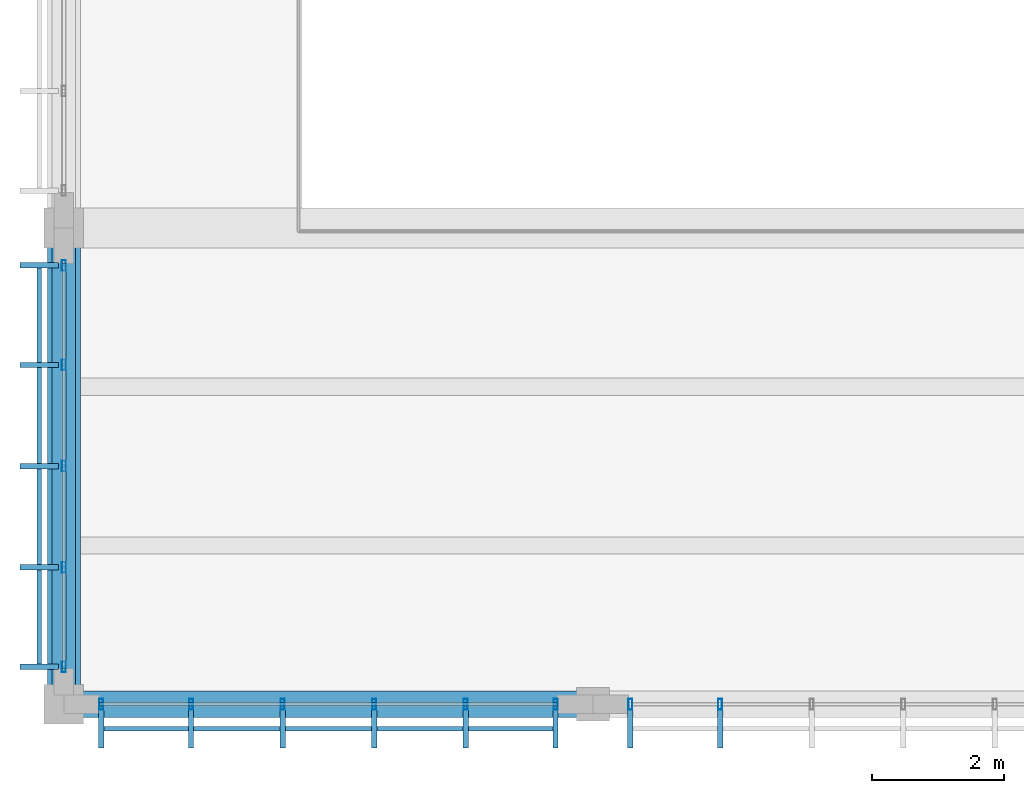
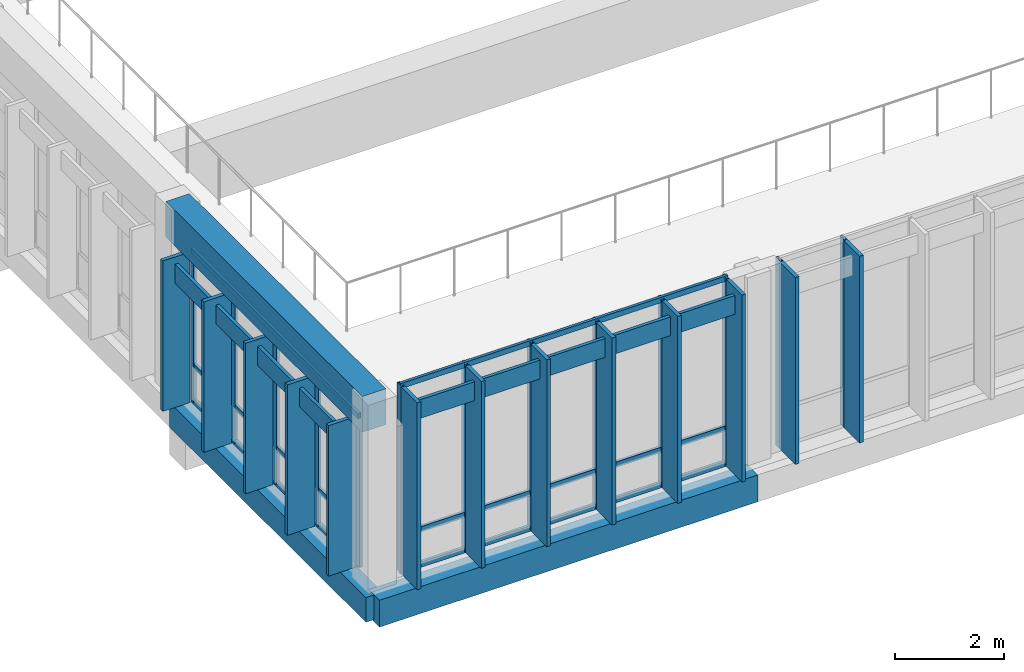
# One storey, part 12 of 182: 34 members, 3 beams, 3 elements without a shape of their own.
"""IFC4 building model written with IfcOpenShell, lengths in metres."""

from ifc_helpers import new_model, si_unit, direction, frame, origin, origin_2d, place, context, subcontext, project, spatial, rectangle, hollow_rectangle, extrude, material, material_profile, profile_set, type_object, element, aggregate, save


model = new_model("IFC4")

# Units and contexts
model_context = context("Model", 3, precision=1e-05, world=origin(), true_north=direction((0.0, 1.0)))
body_context = subcontext(model_context, "Body", "Model", "MODEL_VIEW")
ifc_project = project(units=[si_unit("LENGTHUNIT", "METRE"), si_unit("AREAUNIT", "SQUARE_METRE"), si_unit("VOLUMEUNIT", "CUBIC_METRE"), si_unit("PLANEANGLEUNIT", "RADIAN"), si_unit("MASSUNIT", "GRAM", prefix="KILO")], contexts=[model_context])

# Site, building, storey
site_placement = place(None, origin())
site = spatial("IfcSite", under=ifc_project, at=site_placement, CompositionType="ELEMENT")
building_placement = place(site_placement, origin())
building = spatial("IfcBuilding", under=site, at=building_placement, Name="Chiffa Square Polytechnic", CompositionType="ELEMENT")
storey_placement = place(building_placement, frame((0.0, 0.0, 9.60009765625)))
storey = spatial("IfcBuildingStorey", under=building, at=storey_placement, Name="L02", CompositionType="ELEMENT", Elevation=9.60009765625)

# Beams
ifc_material_1 = material(Name="Concrete C35/45", Category="concrete")
ifc_material_profile_1 = material_profile(ifc_material_1, rectangle(XDim=0.35009765625, YDim=0.550048828125, at=origin_2d()), Name="RC 350x550")
ifc_profile_set_1 = profile_set([ifc_material_profile_1], Name="Concrete C35/45")
beam_type_1 = type_object("IfcBeamType", Name="BM-RC-350X550", PredefinedType="BEAM", material=ifc_profile_set_1)
beam_1_placement = place(storey_placement, frame((0.0, 0.0, -0.59521484375), z_axis=(0.0, 1.0, 0.0), x_axis=(-1.0, 0.0, 0.0)))
element("IfcBeam", 1, at=beam_1_placement, inside=storey, type_object=beam_type_1, Name="Primary floor girder BM-V3-L02-Y-0000-0000", PredefinedType="BEAM", context=body_context, shape_type="SweptSolid", body=[
    extrude(rectangle(XDim=0.35009765625, YDim=0.550048828125, at=origin_2d()), origin(), (0.0, 0.0, 1.0), 7.199951171875),
])
ifc_material_profile_2 = material_profile(ifc_material_1, rectangle(XDim=0.39990234375, YDim=0.60009765625, at=origin_2d()), Name="RC 400x600")
ifc_profile_set_2 = profile_set([ifc_material_profile_2], Name="Concrete C35/45")
beam_type_2 = type_object("IfcBeamType", Name="BM-RC-400X600", PredefinedType="BEAM", material=ifc_profile_set_2)
beam_2_placement = place(storey_placement, frame((0.0, 0.0, -0.6201171875), z_axis=(1.0, 0.0, 0.0), x_axis=(0.0, 1.0, 0.0)))
element("IfcBeam", 2, at=beam_2_placement, inside=storey, type_object=beam_type_2, Name="Primary floor girder BM-V3-L02-X-0000-0000", PredefinedType="BEAM", context=body_context, shape_type="SweptSolid", body=[
    extrude(rectangle(XDim=0.39990234375, YDim=0.60009765625, at=origin_2d()), origin(), (0.0, 0.0, 1.0), 8.0),
])
ifc_material_2 = material(Name="Concrete C40/50", Category="concrete")
ifc_material_profile_3 = material_profile(ifc_material_2, rectangle(XDim=0.5, YDim=0.800048828125, at=origin_2d()), Name="RC 500x800")
ifc_profile_set_3 = profile_set([ifc_material_profile_3], Name="Concrete C40/50")
beam_type_3 = type_object("IfcBeamType", Name="BM-RC-500X800", PredefinedType="BEAM", material=ifc_profile_set_3)
beam_3_placement = place(storey_placement, frame((0.0, 0.0, 3.7998046875), z_axis=(0.0, 1.0, 0.0), x_axis=(-1.0, 0.0, 0.0)))
element("IfcBeam", 3, at=beam_3_placement, inside=storey, type_object=beam_type_3, Name="Lecture west eave ring beam BM-V3-EAVTIE-W1", PredefinedType="BEAM", context=body_context, shape_type="SweptSolid", body=[
    extrude(rectangle(XDim=0.5, YDim=0.800048828125, at=origin_2d()), origin(), (0.0, 0.0, 1.0), 7.199951171875),
])

# Curtain wall, members
ifc_material_3 = material(Name="Aluminium EN AW-6060 T66 and glulam shading", Category="wood")
curtain_wall_type_1 = type_object("IfcCurtainWallType", Name="CW-VERT-360X380", PredefinedType="USERDEFINED", material=ifc_material_3)
curtain_wall_1_placement = place(storey_placement, origin())
curtain_wall_1 = element("IfcCurtainWall", 4, at=curtain_wall_1_placement, inside=storey, type_object=curtain_wall_type_1, Name="Curtain wall CW-V3-L02-165", ObjectType="CURTAIN WALL", PredefinedType="USERDEFINED")
ifc_material_4 = material(Name="Aluminium EN AW-6060 T66", Category="aluminium")
ifc_material_profile_4 = material_profile(ifc_material_4, hollow_rectangle(XDim=0.06005859375, YDim=0.159912109375, WallThickness=0.00390625, at=origin_2d()), Name="ALU 60x160x4")
ifc_profile_set_4 = profile_set([ifc_material_profile_4], Name="Aluminium EN AW-6060 T66")
member_type_1 = type_object("IfcMemberType", Name="CWM-ALU-65X150", PredefinedType="MULLION", material=ifc_profile_set_4)
member_1_placement = place(storey_placement, frame((0.56494140625, 0.0, 0.0), z_axis=(0.0, 0.0, 1.0), x_axis=(1.0, 0.0, 0.0)))
member_1 = element("IfcMember", 5, at=member_1_placement, type_object=member_type_1, Name="Curtain wall mullion CW-V3-L02-165-M00", PredefinedType="MULLION", context=body_context, shape_type="SweptSolid", body=[
    extrude(hollow_rectangle(XDim=0.06005859375, YDim=0.159912109375, WallThickness=0.00390625, at=origin_2d()), origin(), (0.0, 0.0, 1.0), 4.199951171875),
])
member_2_placement = place(storey_placement, frame((1.924072265625, 0.0, 0.0), z_axis=(0.0, 0.0, 1.0), x_axis=(1.0, 0.0, 0.0)))
member_2 = element("IfcMember", 6, at=member_2_placement, type_object=member_type_1, Name="Curtain wall mullion CW-V3-L02-165-M01", PredefinedType="MULLION", context=body_context, shape_type="SweptSolid", body=[
    extrude(hollow_rectangle(XDim=0.06005859375, YDim=0.159912109375, WallThickness=0.00390625, at=origin_2d()), origin(), (0.0, 0.0, 1.0), 4.199951171875),
])
member_3_placement = place(storey_placement, frame((3.30810546875, 0.0, 0.0), z_axis=(0.0, 0.0, 1.0), x_axis=(1.0, 0.0, 0.0)))
member_3 = element("IfcMember", 7, at=member_3_placement, type_object=member_type_1, Name="Curtain wall mullion CW-V3-L02-165-M02", PredefinedType="MULLION", context=body_context, shape_type="SweptSolid", body=[
    extrude(hollow_rectangle(XDim=0.06005859375, YDim=0.159912109375, WallThickness=0.00390625, at=origin_2d()), origin(), (0.0, 0.0, 1.0), 4.199951171875),
])
member_4_placement = place(storey_placement, frame((4.69189453125, 0.0, 0.0), z_axis=(0.0, 0.0, 1.0), x_axis=(1.0, 0.0, 0.0)))
member_4 = element("IfcMember", 8, at=member_4_placement, type_object=member_type_1, Name="Curtain wall mullion CW-V3-L02-165-M03", PredefinedType="MULLION", context=body_context, shape_type="SweptSolid", body=[
    extrude(hollow_rectangle(XDim=0.06005859375, YDim=0.159912109375, WallThickness=0.00390625, at=origin_2d()), origin(), (0.0, 0.0, 1.0), 4.199951171875),
])
member_5_placement = place(storey_placement, frame((6.075927734375, 0.0, 0.0), z_axis=(0.0, 0.0, 1.0), x_axis=(1.0, 0.0, 0.0)))
member_5 = element("IfcMember", 9, at=member_5_placement, type_object=member_type_1, Name="Curtain wall mullion CW-V3-L02-165-M04", PredefinedType="MULLION", context=body_context, shape_type="SweptSolid", body=[
    extrude(hollow_rectangle(XDim=0.06005859375, YDim=0.159912109375, WallThickness=0.00390625, at=origin_2d()), origin(), (0.0, 0.0, 1.0), 4.199951171875),
])
member_6_placement = place(storey_placement, frame((7.43505859375, 0.0, 0.0), z_axis=(0.0, 0.0, 1.0), x_axis=(1.0, 0.0, 0.0)))
member_6 = element("IfcMember", 10, at=member_6_placement, type_object=member_type_1, Name="Curtain wall mullion CW-V3-L02-165-M05", PredefinedType="MULLION", context=body_context, shape_type="SweptSolid", body=[
    extrude(hollow_rectangle(XDim=0.06005859375, YDim=0.159912109375, WallThickness=0.00390625, at=origin_2d()), origin(), (0.0, 0.0, 1.0), 4.199951171875),
])

curtain_wall_type_2 = type_object("IfcCurtainWallType", Name="CW-VERT-480X380", PredefinedType="USERDEFINED", material=ifc_material_3)
curtain_wall_2_placement = place(storey_placement, origin())
curtain_wall_2 = element("IfcCurtainWall", 11, at=curtain_wall_2_placement, inside=storey, type_object=curtain_wall_type_2, Name="Curtain wall CW-V3-L02-166", ObjectType="CURTAIN WALL", PredefinedType="USERDEFINED")
member_7_placement = place(storey_placement, frame((8.56494140625, 0.0, 0.0), z_axis=(0.0, 0.0, 1.0), x_axis=(1.0, 0.0, 0.0)))
member_7 = element("IfcMember", 12, at=member_7_placement, type_object=member_type_1, Name="Curtain wall mullion CW-V3-L02-166-M00", PredefinedType="MULLION", context=body_context, shape_type="SweptSolid", body=[
    extrude(hollow_rectangle(XDim=0.06005859375, YDim=0.159912109375, WallThickness=0.00390625, at=origin_2d()), origin(), (0.0, 0.0, 1.0), 4.199951171875),
])
member_8_placement = place(storey_placement, frame((9.924072265625, 0.0, 0.0), z_axis=(0.0, 0.0, 1.0), x_axis=(1.0, 0.0, 0.0)))
member_8 = element("IfcMember", 13, at=member_8_placement, type_object=member_type_1, Name="Curtain wall mullion CW-V3-L02-166-M01", PredefinedType="MULLION", context=body_context, shape_type="SweptSolid", body=[
    extrude(hollow_rectangle(XDim=0.06005859375, YDim=0.159912109375, WallThickness=0.00390625, at=origin_2d()), origin(), (0.0, 0.0, 1.0), 4.199951171875),
])

curtain_wall_type_3 = type_object("IfcCurtainWallType", Name="CW-VERT-450X380", PredefinedType="USERDEFINED", material=ifc_material_3)
curtain_wall_3_placement = place(storey_placement, origin())
curtain_wall_3 = element("IfcCurtainWall", 14, at=curtain_wall_3_placement, inside=storey, type_object=curtain_wall_type_3, Name="Curtain wall CW-V3-L02-178", ObjectType="CURTAIN WALL", PredefinedType="USERDEFINED")
member_9_placement = place(storey_placement, frame((0.0, 6.635009765625, 0.0), z_axis=(0.0, 0.0, 1.0), x_axis=(1.0, 0.0, 0.0)))
member_9 = element("IfcMember", 15, at=member_9_placement, type_object=member_type_1, Name="Curtain wall mullion CW-V3-L02-178-M00", PredefinedType="MULLION", context=body_context, shape_type="SweptSolid", body=[
    extrude(hollow_rectangle(XDim=0.06005859375, YDim=0.159912109375, WallThickness=0.00390625, at=origin_2d()), origin(), (0.0, 0.0, 1.0), 3.385009765625),
])
member_10_placement = place(storey_placement, frame((0.0, 5.1298828125, 0.0), z_axis=(0.0, 0.0, 1.0), x_axis=(1.0, 0.0, 0.0)))
member_10 = element("IfcMember", 16, at=member_10_placement, type_object=member_type_1, Name="Curtain wall mullion CW-V3-L02-178-M01", PredefinedType="MULLION", context=body_context, shape_type="SweptSolid", body=[
    extrude(hollow_rectangle(XDim=0.06005859375, YDim=0.159912109375, WallThickness=0.00390625, at=origin_2d()), origin(), (0.0, 0.0, 1.0), 3.385009765625),
])
member_11_placement = place(storey_placement, frame((0.0, 3.60009765625, 0.0), z_axis=(0.0, 0.0, 1.0), x_axis=(1.0, 0.0, 0.0)))
member_11 = element("IfcMember", 17, at=member_11_placement, type_object=member_type_1, Name="Curtain wall mullion CW-V3-L02-178-M02", PredefinedType="MULLION", context=body_context, shape_type="SweptSolid", body=[
    extrude(hollow_rectangle(XDim=0.06005859375, YDim=0.159912109375, WallThickness=0.00390625, at=origin_2d()), origin(), (0.0, 0.0, 1.0), 3.385009765625),
])
member_12_placement = place(storey_placement, frame((0.0, 2.070068359375, 0.0), z_axis=(0.0, 0.0, 1.0), x_axis=(1.0, 0.0, 0.0)))
member_12 = element("IfcMember", 18, at=member_12_placement, type_object=member_type_1, Name="Curtain wall mullion CW-V3-L02-178-M03", PredefinedType="MULLION", context=body_context, shape_type="SweptSolid", body=[
    extrude(hollow_rectangle(XDim=0.06005859375, YDim=0.159912109375, WallThickness=0.00390625, at=origin_2d()), origin(), (0.0, 0.0, 1.0), 3.385009765625),
])
member_13_placement = place(storey_placement, frame((0.0, 0.56494140625, 0.0), z_axis=(0.0, 0.0, 1.0), x_axis=(1.0, 0.0, 0.0)))
member_13 = element("IfcMember", 19, at=member_13_placement, type_object=member_type_1, Name="Curtain wall mullion CW-V3-L02-178-M04", PredefinedType="MULLION", context=body_context, shape_type="SweptSolid", body=[
    extrude(hollow_rectangle(XDim=0.06005859375, YDim=0.159912109375, WallThickness=0.00390625, at=origin_2d()), origin(), (0.0, 0.0, 1.0), 3.385009765625),
])

# Member
ifc_material_5 = material(Name="Glulam GL28h", Category="wood")
ifc_material_profile_5 = material_profile(ifc_material_5, rectangle(XDim=0.080078125, YDim=0.580078125, at=origin_2d()), Name="GL28h 80x580")
ifc_profile_set_5 = profile_set([ifc_material_profile_5], Name="Glulam GL28h")
member_type_2 = type_object("IfcMemberType", Name="CWM-GL-80X580", PredefinedType="MULLION", material=ifc_profile_set_5)
member_14_placement = place(storey_placement, frame((0.56494140625, -0.3720703125, 0.010009765625), z_axis=(0.0, 0.0, 1.0), x_axis=(1.0, 0.0, 0.0)))
member_14 = element("IfcMember", 20, at=member_14_placement, type_object=member_type_2, Name="Exterior glulam solar fin CW-V3-L02-165-FN00", PredefinedType="MULLION", context=body_context, shape_type="SweptSolid", body=[
    extrude(rectangle(XDim=0.080078125, YDim=0.580078125, at=origin_2d()), origin(), (0.0, 0.0, 1.0), 4.179931640625),
])

member_15_placement = place(storey_placement, frame((1.924072265625, -0.3720703125, 0.010009765625), z_axis=(0.0, 0.0, 1.0), x_axis=(1.0, 0.0, 0.0)))
member_15 = element("IfcMember", 21, at=member_15_placement, type_object=member_type_2, Name="Exterior glulam solar fin CW-V3-L02-165-FN01", PredefinedType="MULLION", context=body_context, shape_type="SweptSolid", body=[
    extrude(rectangle(XDim=0.080078125, YDim=0.580078125, at=origin_2d()), origin(), (0.0, 0.0, 1.0), 4.179931640625),
])

member_16_placement = place(storey_placement, frame((3.30810546875, -0.3720703125, 0.010009765625), z_axis=(0.0, 0.0, 1.0), x_axis=(1.0, 0.0, 0.0)))
member_16 = element("IfcMember", 22, at=member_16_placement, type_object=member_type_2, Name="Exterior glulam solar fin CW-V3-L02-165-FN02", PredefinedType="MULLION", context=body_context, shape_type="SweptSolid", body=[
    extrude(rectangle(XDim=0.080078125, YDim=0.580078125, at=origin_2d()), origin(), (0.0, 0.0, 1.0), 4.179931640625),
])

member_17_placement = place(storey_placement, frame((4.69189453125, -0.3720703125, 0.010009765625), z_axis=(0.0, 0.0, 1.0), x_axis=(1.0, 0.0, 0.0)))
member_17 = element("IfcMember", 23, at=member_17_placement, type_object=member_type_2, Name="Exterior glulam solar fin CW-V3-L02-165-FN03", PredefinedType="MULLION", context=body_context, shape_type="SweptSolid", body=[
    extrude(rectangle(XDim=0.080078125, YDim=0.580078125, at=origin_2d()), origin(), (0.0, 0.0, 1.0), 4.179931640625),
])

member_18_placement = place(storey_placement, frame((6.075927734375, -0.3720703125, 0.010009765625), z_axis=(0.0, 0.0, 1.0), x_axis=(1.0, 0.0, 0.0)))
member_18 = element("IfcMember", 24, at=member_18_placement, type_object=member_type_2, Name="Exterior glulam solar fin CW-V3-L02-165-FN04", PredefinedType="MULLION", context=body_context, shape_type="SweptSolid", body=[
    extrude(rectangle(XDim=0.080078125, YDim=0.580078125, at=origin_2d()), origin(), (0.0, 0.0, 1.0), 4.179931640625),
])

member_19_placement = place(storey_placement, frame((7.43505859375, -0.3720703125, 0.010009765625), z_axis=(0.0, 0.0, 1.0), x_axis=(1.0, 0.0, 0.0)))
member_19 = element("IfcMember", 25, at=member_19_placement, type_object=member_type_2, Name="Exterior glulam solar fin CW-V3-L02-165-FN05", PredefinedType="MULLION", context=body_context, shape_type="SweptSolid", body=[
    extrude(rectangle(XDim=0.080078125, YDim=0.580078125, at=origin_2d()), origin(), (0.0, 0.0, 1.0), 4.179931640625),
])

member_20_placement = place(storey_placement, frame((8.56494140625, -0.3720703125, 0.010009765625), z_axis=(0.0, 0.0, 1.0), x_axis=(1.0, 0.0, 0.0)))
member_20 = element("IfcMember", 26, at=member_20_placement, type_object=member_type_2, Name="Exterior glulam solar fin CW-V3-L02-166-FN00", PredefinedType="MULLION", context=body_context, shape_type="SweptSolid", body=[
    extrude(rectangle(XDim=0.080078125, YDim=0.580078125, at=origin_2d()), origin(), (0.0, 0.0, 1.0), 4.179931640625),
])

member_21_placement = place(storey_placement, frame((9.924072265625, -0.3720703125, 0.010009765625), z_axis=(0.0, 0.0, 1.0), x_axis=(1.0, 0.0, 0.0)))
member_21 = element("IfcMember", 27, at=member_21_placement, type_object=member_type_2, Name="Exterior glulam solar fin CW-V3-L02-166-FN01", PredefinedType="MULLION", context=body_context, shape_type="SweptSolid", body=[
    extrude(rectangle(XDim=0.080078125, YDim=0.580078125, at=origin_2d()), origin(), (0.0, 0.0, 1.0), 4.179931640625),
])

aggregate(curtain_wall_2, [member_7, member_20, member_8, member_21])

member_22_placement = place(storey_placement, frame((-0.3720703125, 6.635009765625, 0.010009765625), z_axis=(0.0, 0.0, 1.0), x_axis=(0.0, -1.0, 0.0)))
member_22 = element("IfcMember", 28, at=member_22_placement, type_object=member_type_2, Name="Exterior glulam solar fin CW-V3-L02-178-FN00", PredefinedType="MULLION", context=body_context, shape_type="SweptSolid", body=[
    extrude(rectangle(XDim=0.080078125, YDim=0.580078125, at=origin_2d()), origin(), (0.0, 0.0, 1.0), 3.364990234375),
])

member_23_placement = place(storey_placement, frame((-0.3720703125, 5.1298828125, 0.010009765625), z_axis=(0.0, 0.0, 1.0), x_axis=(0.0, -1.0, 0.0)))
member_23 = element("IfcMember", 29, at=member_23_placement, type_object=member_type_2, Name="Exterior glulam solar fin CW-V3-L02-178-FN01", PredefinedType="MULLION", context=body_context, shape_type="SweptSolid", body=[
    extrude(rectangle(XDim=0.080078125, YDim=0.580078125, at=origin_2d()), origin(), (0.0, 0.0, 1.0), 3.364990234375),
])

member_24_placement = place(storey_placement, frame((-0.3720703125, 3.60009765625, 0.010009765625), z_axis=(0.0, 0.0, 1.0), x_axis=(0.0, -1.0, 0.0)))
member_24 = element("IfcMember", 30, at=member_24_placement, type_object=member_type_2, Name="Exterior glulam solar fin CW-V3-L02-178-FN02", PredefinedType="MULLION", context=body_context, shape_type="SweptSolid", body=[
    extrude(rectangle(XDim=0.080078125, YDim=0.580078125, at=origin_2d()), origin(), (0.0, 0.0, 1.0), 3.364990234375),
])

member_25_placement = place(storey_placement, frame((-0.3720703125, 2.070068359375, 0.010009765625), z_axis=(0.0, 0.0, 1.0), x_axis=(0.0, -1.0, 0.0)))
member_25 = element("IfcMember", 31, at=member_25_placement, type_object=member_type_2, Name="Exterior glulam solar fin CW-V3-L02-178-FN03", PredefinedType="MULLION", context=body_context, shape_type="SweptSolid", body=[
    extrude(rectangle(XDim=0.080078125, YDim=0.580078125, at=origin_2d()), origin(), (0.0, 0.0, 1.0), 3.364990234375),
])

member_26_placement = place(storey_placement, frame((-0.3720703125, 0.56494140625, 0.010009765625), z_axis=(0.0, 0.0, 1.0), x_axis=(0.0, -1.0, 0.0)))
member_26 = element("IfcMember", 32, at=member_26_placement, type_object=member_type_2, Name="Exterior glulam solar fin CW-V3-L02-178-FN04", PredefinedType="MULLION", context=body_context, shape_type="SweptSolid", body=[
    extrude(rectangle(XDim=0.080078125, YDim=0.580078125, at=origin_2d()), origin(), (0.0, 0.0, 1.0), 3.364990234375),
])

ifc_material_profile_6 = material_profile(ifc_material_4, hollow_rectangle(XDim=0.06005859375, YDim=0.1201171875, WallThickness=0.00390625, at=origin_2d()), Name="ALU 60x120x4")
ifc_profile_set_6 = profile_set([ifc_material_profile_6], Name="Aluminium EN AW-6060 T66")
member_type_3 = type_object("IfcMemberType", Name="CWT-ALU-65X120", PredefinedType="USERDEFINED", material=ifc_profile_set_6)
member_27_placement = place(storey_placement, frame((0.5380859375, 0.0, 0.02978515625), z_axis=(1.0, 0.0, 0.0), x_axis=(0.0, 1.0, 0.0)))
member_27 = element("IfcMember", 33, at=member_27_placement, type_object=member_type_3, Name="Curtain wall transom CW-V3-L02-165-T01", ObjectType="TRANSOM", PredefinedType="USERDEFINED", context=body_context, shape_type="SweptSolid", body=[
    extrude(hollow_rectangle(XDim=0.06005859375, YDim=0.1201171875, WallThickness=0.00390625, at=origin_2d()), origin(), (0.0, 0.0, 1.0), 6.923828125),
])

member_28_placement = place(storey_placement, frame((0.5380859375, 0.0, 0.81982421875), z_axis=(1.0, 0.0, 0.0), x_axis=(0.0, 1.0, 0.0)))
member_28 = element("IfcMember", 34, at=member_28_placement, type_object=member_type_3, Name="Curtain wall transom CW-V3-L02-165-T02", ObjectType="TRANSOM", PredefinedType="USERDEFINED", context=body_context, shape_type="SweptSolid", body=[
    extrude(hollow_rectangle(XDim=0.06005859375, YDim=0.1201171875, WallThickness=0.00390625, at=origin_2d()), origin(), (0.0, 0.0, 1.0), 6.923828125),
])

member_29_placement = place(storey_placement, frame((0.5380859375, 0.0, 4.169921875), z_axis=(1.0, 0.0, 0.0), x_axis=(0.0, 1.0, 0.0)))
member_29 = element("IfcMember", 35, at=member_29_placement, type_object=member_type_3, Name="Curtain wall transom CW-V3-L02-165-T03", ObjectType="TRANSOM", PredefinedType="USERDEFINED", context=body_context, shape_type="SweptSolid", body=[
    extrude(hollow_rectangle(XDim=0.06005859375, YDim=0.1201171875, WallThickness=0.00390625, at=origin_2d()), origin(), (0.0, 0.0, 1.0), 6.923828125),
])

member_30_placement = place(storey_placement, frame((0.0, 6.662109375, 0.02978515625), z_axis=(0.0, -1.0, 0.0), x_axis=(1.0, 0.0, 0.0)))
member_30 = element("IfcMember", 36, at=member_30_placement, type_object=member_type_3, Name="Curtain wall transom CW-V3-L02-178-T01", ObjectType="TRANSOM", PredefinedType="USERDEFINED", context=body_context, shape_type="SweptSolid", body=[
    extrude(hollow_rectangle(XDim=0.06005859375, YDim=0.1201171875, WallThickness=0.00390625, at=origin_2d()), origin(), (0.0, 0.0, 1.0), 6.1240234375),
])

member_31_placement = place(storey_placement, frame((0.0, 6.662109375, 0.81982421875), z_axis=(0.0, -1.0, 0.0), x_axis=(1.0, 0.0, 0.0)))
member_31 = element("IfcMember", 37, at=member_31_placement, type_object=member_type_3, Name="Curtain wall transom CW-V3-L02-178-T02", ObjectType="TRANSOM", PredefinedType="USERDEFINED", context=body_context, shape_type="SweptSolid", body=[
    extrude(hollow_rectangle(XDim=0.06005859375, YDim=0.1201171875, WallThickness=0.00390625, at=origin_2d()), origin(), (0.0, 0.0, 1.0), 6.1240234375),
])

member_32_placement = place(storey_placement, frame((0.0, 6.662109375, 3.35498046875), z_axis=(0.0, -1.0, 0.0), x_axis=(1.0, 0.0, 0.0)))
member_32 = element("IfcMember", 38, at=member_32_placement, type_object=member_type_3, Name="Curtain wall transom CW-V3-L02-178-T03", ObjectType="TRANSOM", PredefinedType="USERDEFINED", context=body_context, shape_type="SweptSolid", body=[
    extrude(hollow_rectangle(XDim=0.06005859375, YDim=0.1201171875, WallThickness=0.00390625, at=origin_2d()), origin(), (0.0, 0.0, 1.0), 6.1240234375),
])

ifc_material_profile_7 = material_profile(ifc_material_5, rectangle(XDim=0.070068359375, YDim=0.419921875, at=origin_2d()), Name="GL28h 70x420")
ifc_profile_set_7 = profile_set([ifc_material_profile_7], Name="Glulam GL28h")
member_type_4 = type_object("IfcMemberType", Name="CWT-GL-70X420", PredefinedType="USERDEFINED", material=ifc_profile_set_7)
member_33_placement = place(storey_placement, frame((0.56494140625, -0.3720703125, 3.81982421875), z_axis=(1.0, 0.0, 0.0), x_axis=(0.0, 1.0, 0.0)))
member_33 = element("IfcMember", 39, at=member_33_placement, type_object=member_type_4, Name="Exterior glulam brise-soleil CW-V3-L02-165-BS01", ObjectType="TRANSOM", PredefinedType="USERDEFINED", context=body_context, shape_type="SweptSolid", body=[
    extrude(rectangle(XDim=0.070068359375, YDim=0.419921875, at=origin_2d()), origin(), (0.0, 0.0, 1.0), 6.8701171875),
])

aggregate(curtain_wall_1, [member_1, member_14, member_2, member_15, member_3, member_16, member_4, member_17, member_5, member_18, member_6, member_19, member_27, member_28, member_29, member_33])

member_34_placement = place(storey_placement, frame((-0.3720703125, 6.635009765625, 3.0048828125), z_axis=(0.0, -1.0, 0.0), x_axis=(1.0, 0.0, 0.0)))
member_34 = element("IfcMember", 40, at=member_34_placement, type_object=member_type_4, Name="Exterior glulam brise-soleil CW-V3-L02-178-BS01", ObjectType="TRANSOM", PredefinedType="USERDEFINED", context=body_context, shape_type="SweptSolid", body=[
    extrude(rectangle(XDim=0.070068359375, YDim=0.419921875, at=origin_2d()), origin(), (0.0, 0.0, 1.0), 6.070068359375),
])

aggregate(curtain_wall_3, [member_9, member_22, member_10, member_23, member_11, member_24, member_12, member_25, member_13, member_26, member_30, member_31, member_32, member_34])

save(model, "model.ifc")
